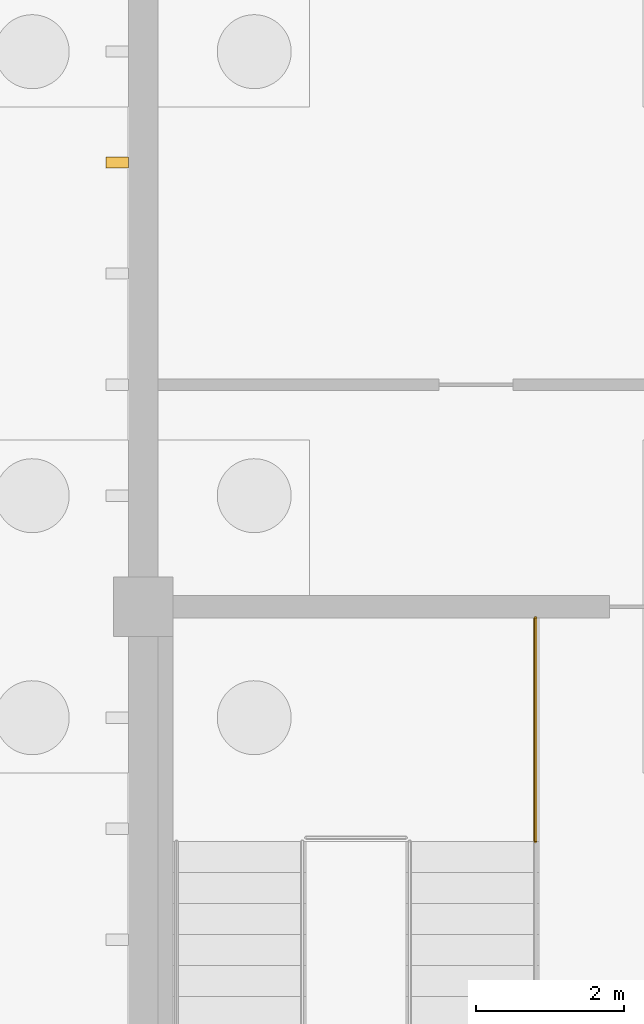
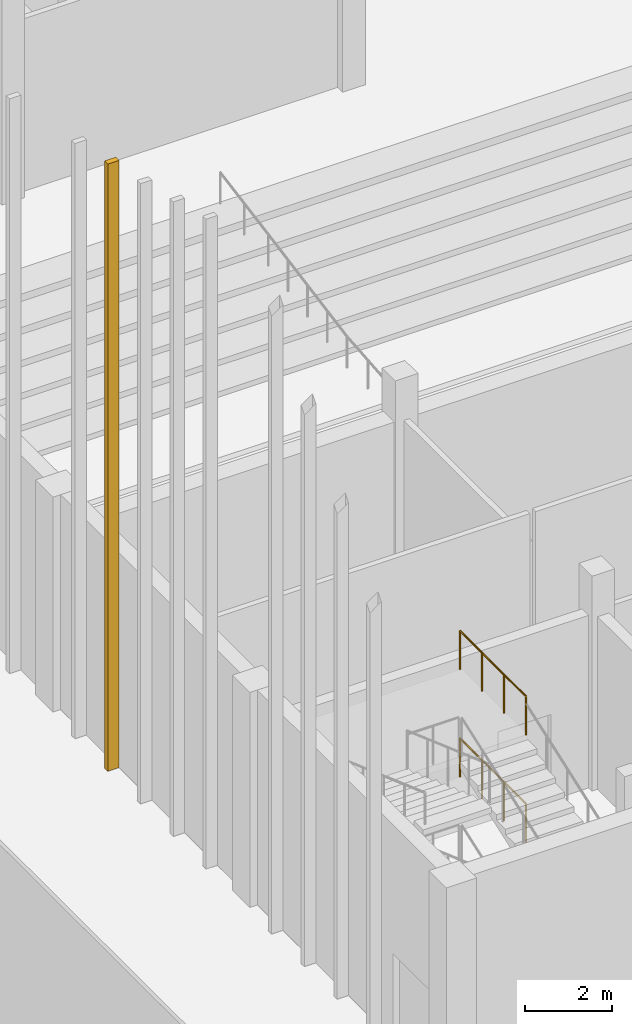
# One storey, part 148 of 198: 2 railings, 1 covering.
"""IFC4 building model written with IfcOpenShell, lengths in metres."""

from ifc_helpers import new_model, si_unit, direction, frame, origin, origin_2d, place, context, subcontext, project, spatial, rectangle, circle, extrude, material, layer, layer_set, constituent, constituent_set, type_object, element, save


model = new_model("IFC4")

# Units and contexts
model_context = context("Model", 3, precision=1e-05, world=origin(), true_north=direction((0.0, 1.0)))
body_context = subcontext(model_context, "Body", "Model", "MODEL_VIEW")
ifc_project = project(units=[si_unit("LENGTHUNIT", "METRE"), si_unit("AREAUNIT", "SQUARE_METRE"), si_unit("VOLUMEUNIT", "CUBIC_METRE"), si_unit("PLANEANGLEUNIT", "RADIAN"), si_unit("MASSUNIT", "GRAM", prefix="KILO")], contexts=[model_context])

# Site, building, storey
site_placement = place(None, origin())
site = spatial("IfcSite", under=ifc_project, at=site_placement, CompositionType="ELEMENT")
building_placement = place(site_placement, origin())
building = spatial("IfcBuilding", under=site, at=building_placement, Name="Opaline Strait Convention Centre", CompositionType="ELEMENT")
storey_placement = place(building_placement, origin())
storey = spatial("IfcBuildingStorey", under=building, at=storey_placement, Name="L00", CompositionType="ELEMENT", Elevation=0.0)

# Covering
ifc_material_1 = material(Name="Glass fibre reinforced concrete, white", Category="concrete")
ifc_layer = layer(ifc_material_1, 0.300048828125)
ifc_layer_set = layer_set([ifc_layer], Name="Glass fibre reinforced concrete, white")
covering_type = type_object("IfcCoveringType", Name="GRC rib 150 x 300", PredefinedType="CLADDING", material=ifc_layer_set)
covering_placement = place(storey_placement, frame((8.64990234375, 132.0, 0.0), z_axis=(0.0, 0.0, 1.0), x_axis=(1.0, 0.0, 0.0)))
element("IfcCovering", 1, at=covering_placement, inside=storey, type_object=covering_type, Name="PX1 rib west 10", PredefinedType="CLADDING", context=body_context, shape_type="SweptSolid", body=[
    extrude(rectangle(XDim=0.300048828125, YDim=0.14990234375, at=origin_2d()), origin(), (0.0, 0.0, 1.0), 16.960693359375),
])

# Railings
ifc_material_2 = material(Name="Steel Q355B", Category="steel")
ifc_constituent_1 = constituent(ifc_material_2, Name="Frame")
ifc_material_3 = material(Name="Safety glass, bonded interlayer", Category="glass")
ifc_constituent_2 = constituent(ifc_material_3, Name="Infill")
ifc_constituent_set = constituent_set(constituents=[ifc_constituent_1, ifc_constituent_2], Name="Steel Q355B, Safety glass, bonded interlayer")
railing_type = type_object("IfcRailingType", Name="Seating guard 1100 steel and glass", PredefinedType="GUARDRAIL", material=ifc_constituent_set)
for number, where, name in (
    (2, (14.300048828125, 122.830078125, 1.5), "L00 PSR1 stair guard 3"),
    (3, (14.300048828125, 122.830078125, 4.5), "L00 PSR1 stair guard 9"),
):
    element("IfcRailing", number, at=place(storey_placement, frame(where)), inside=storey, type_object=railing_type, Name=name, PredefinedType="GUARDRAIL", context=body_context, shape_type="SweptSolid", body=[
        extrude(circle(Radius=0.02392578125, at=origin_2d()), frame((0.0, 0.0, 1.076171875), z_axis=(0.0, 1.0, 0.0), x_axis=(-1.0, 0.0, 0.0)), (0.0, 0.0, 1.0), 3.02001953125),
        extrude(circle(Radius=0.02099609375, at=origin_2d()), origin(), (0.0, 0.0, 1.0), 1.052001953125),
        extrude(circle(Radius=0.02099609375, at=origin_2d()), frame((0.0, 1.006591796875, 0.0)), (0.0, 0.0, 1.0), 1.052001953125),
        extrude(circle(Radius=0.02099609375, at=origin_2d()), frame((0.0, 2.013427734375, 0.0)), (0.0, 0.0, 1.0), 1.052001953125),
        extrude(circle(Radius=0.02099609375, at=origin_2d()), frame((0.0, 3.02001953125, 0.0)), (0.0, 0.0, 1.0), 1.052001953125),
    ])

save(model, "model.ifc")
